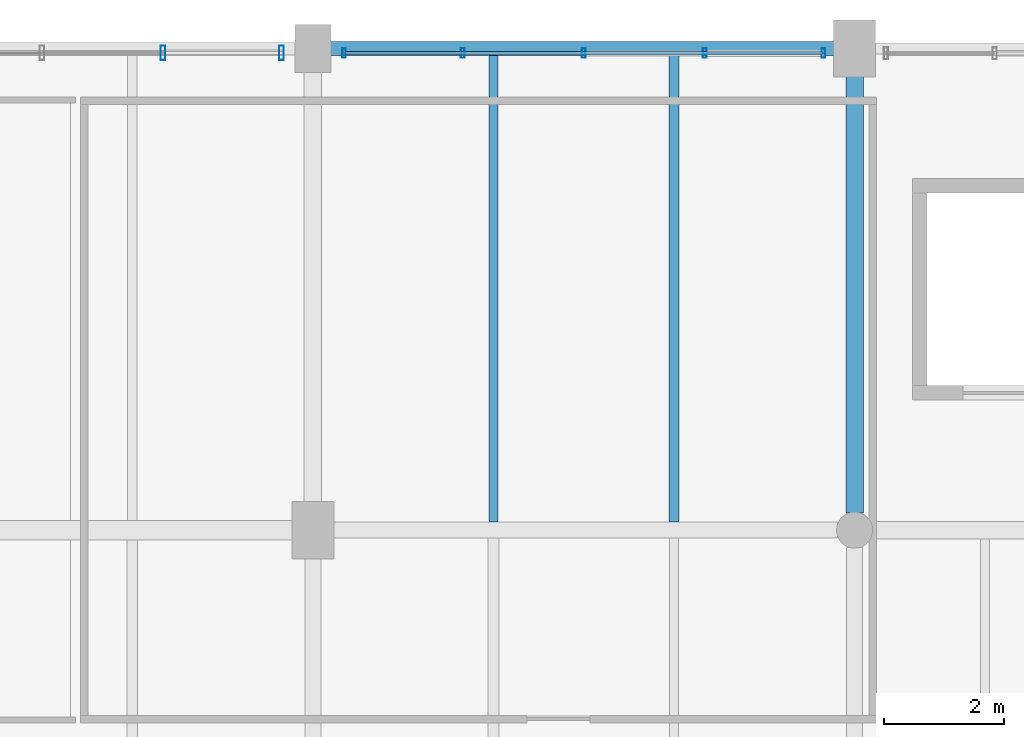
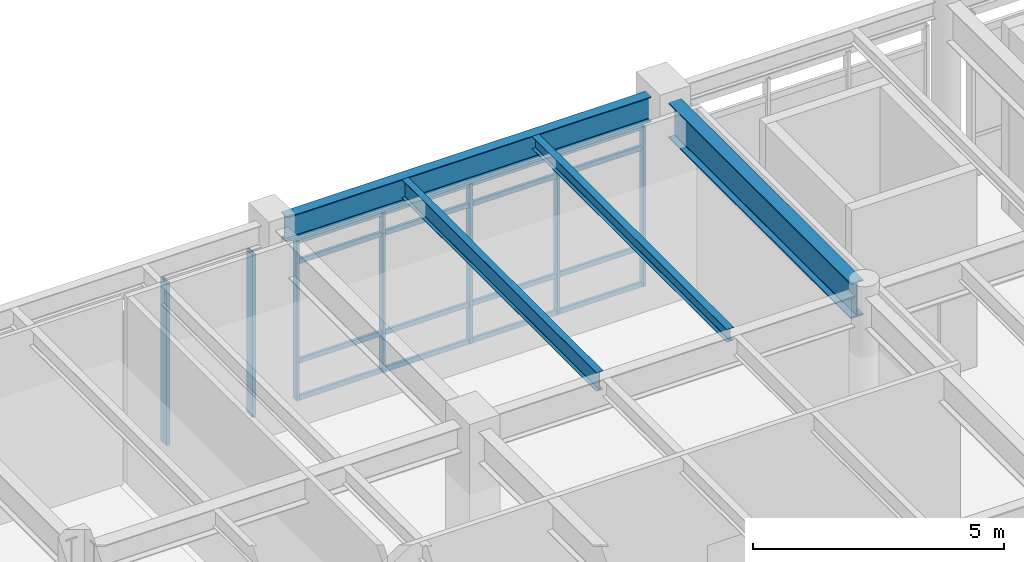
# One storey, part 103 of 200: 11 members, 4 beams, 2 elements without a shape of their own.
"""IFC4 building model written with IfcOpenShell, lengths in metres."""

import ifcopenshell
import ifcopenshell.guid

model = None  # the IFC model being written
_history = None  # IfcOwnerHistory: only IFC2X3 demands one
_inside = {}  # id of a spatial element -> (the spatial element, [elements in it])
_under = {}  # id of a project, library or spatial element -> (it, [spatial elements below it])
_declared = {}  # id of a project -> (the project, [libraries it declares])
_typed = {}  # id of a type object -> (the type object, [elements of that type])
_made_of = {}  # id of a material, layer set ... -> (it, [elements and type objects made of it])


def new_model(schema):
    """Start an empty IFC model of exactly this schema.

    Asked for "IFC4X3", IfcOpenShell would pick the latest addendum, in which some entities
    have other attributes; the version numbers below select the first issue.
    IFC2X3 requires an IfcOwnerHistory on every rooted entity: one is made here for all.
    """
    global model, _history
    if schema == "IFC4X3":
        model = ifcopenshell.file(schema_version=(4, 3, 0, 0))
    else:
        model = ifcopenshell.file(schema=schema)
    _inside.clear()
    _under.clear()
    _declared.clear()
    _typed.clear()
    _made_of.clear()
    _history = None
    if model.schema == "IFC2X3":
        org = make("IfcOrganization", Name="unknown")
        user = make(
            "IfcPersonAndOrganization",
            ThePerson=make("IfcPerson", FamilyName="unknown"),
            TheOrganization=org,
        )
        app = make(
            "IfcApplication",
            ApplicationDeveloper=org,
            Version="unknown",
            ApplicationFullName="unknown",
            ApplicationIdentifier="unknown",
        )
        _history = make(
            "IfcOwnerHistory",
            OwningUser=user,
            OwningApplication=app,
            ChangeAction="ADDED",
            CreationDate=0,
        )
    return model


def make(cls, **values):
    """One entity of the class cls with the attributes given. An attribute that is None is left unset."""
    return model.create_entity(
        cls, **{name: value for name, value in values.items() if value is not None}
    )


def rooted(cls, **values):
    """An entity with a GlobalId (a new one), such as an element, a storey or a relation."""
    return make(cls, GlobalId=ifcopenshell.guid.new(), OwnerHistory=_history, **values)


def si_unit(unit_type, name, prefix=None):
    """IfcSIUnit, for example si_unit("LENGTHUNIT", "METRE", prefix="MILLI")."""
    return make("IfcSIUnit", UnitType=unit_type, Prefix=prefix, Name=name)


def assignment(units):
    """IfcUnitAssignment: the units of a project."""
    return None if units is None else make("IfcUnitAssignment", Units=units)


def point(xyz):
    """IfcCartesianPoint."""
    return None if xyz is None else make("IfcCartesianPoint", Coordinates=xyz)


def direction(xyz):
    """IfcDirection."""
    return None if xyz is None else make("IfcDirection", DirectionRatios=xyz)


def frame(location, z_axis=None, x_axis=None):
    """IfcAxis2Placement3D, a coordinate frame: its origin and axes. An axis left out is left unset."""
    return make(
        "IfcAxis2Placement3D",
        Location=point(location),
        Axis=direction(z_axis),
        RefDirection=direction(x_axis),
    )


def frame_2d(location, x_axis=None):
    """IfcAxis2Placement2D, a coordinate frame in the plane: its origin and x axis."""
    return make(
        "IfcAxis2Placement2D", Location=point(location), RefDirection=direction(x_axis)
    )


def origin():
    """The frame at (0, 0, 0) with its axes left unset."""
    return frame((0.0, 0.0, 0.0))


def origin_2d():
    """The frame at (0, 0) in the plane with its x axis left unset."""
    return frame_2d((0.0, 0.0))


def place(relative_to, where):
    """IfcLocalPlacement: puts the frame where relative to a parent placement (None: the world)."""
    return make(
        "IfcLocalPlacement", PlacementRelTo=relative_to, RelativePlacement=where
    )


def context(
    kind, dimensions, precision=None, world=None, true_north=None, identifier=None
):
    """IfcGeometricRepresentationContext, for example the 3D "Model" context."""
    return make(
        "IfcGeometricRepresentationContext",
        ContextIdentifier=identifier,
        ContextType=kind,
        CoordinateSpaceDimension=dimensions,
        Precision=precision,
        WorldCoordinateSystem=world,
        TrueNorth=true_north,
    )


def subcontext(parent, identifier, kind, view, scale=None):
    """IfcGeometricRepresentationSubContext, for example "Body" below "Model"."""
    return make(
        "IfcGeometricRepresentationSubContext",
        ContextIdentifier=identifier,
        ContextType=kind,
        ParentContext=parent,
        TargetScale=scale,
        TargetView=view,
    )


def project(units=None, contexts=None):
    """IfcProject with its units and contexts."""
    return rooted(
        "IfcProject",
        Name="project",
        RepresentationContexts=contexts,
        UnitsInContext=assignment(units),
    )


def spatial(cls, under=None, at=None, **own):
    """A site, building, storey or space (cls), placed at a placement, below another one or the project."""
    s = rooted(cls, ObjectPlacement=at, **own)
    if under is not None:
        _under.setdefault(under.id(), (under, []))[1].append(s)
    return s


def profile(cls, at=None, kind="AREA", **sizes):
    """A parametric profile (cls). Its sizes go by their IFC names, for example OverallWidth=200.0."""
    return make(cls, ProfileType=kind, Position=at, **sizes)


def hollow_rectangle(**sizes):
    """IfcRectangleHollowProfileDef."""
    return profile("IfcRectangleHollowProfileDef", **sizes)


def i_section(**sizes):
    """IfcIShapeProfileDef."""
    return profile("IfcIShapeProfileDef", **sizes)


def extrude(swept, where, along, depth):
    """IfcExtrudedAreaSolid: the profile swept, set in the frame where, extruded along a direction by depth."""
    return make(
        "IfcExtrudedAreaSolid",
        SweptArea=swept,
        Position=where,
        ExtrudedDirection=direction(along),
        Depth=depth,
    )


def shape(context_of_items, identifier, shape_type, items):
    """IfcShapeRepresentation: the items that make up one representation, for example the "Body"."""
    return make(
        "IfcShapeRepresentation",
        ContextOfItems=context_of_items,
        RepresentationIdentifier=identifier,
        RepresentationType=shape_type,
        Items=items,
    )


def material(Name=None, Category=None):
    """IfcMaterial."""
    return make("IfcMaterial", Name=Name, Category=Category)


def material_profile(
    of_material, cross_section, Name=None, Category=None, Priority=None
):
    """IfcMaterialProfile: a cross section and its material."""
    return make(
        "IfcMaterialProfile",
        Name=Name,
        Material=of_material,
        Profile=cross_section,
        Priority=Priority,
        Category=Category,
    )


def profile_set(profiles, Name=None, composite=None):
    """IfcMaterialProfileSet."""
    return make(
        "IfcMaterialProfileSet",
        Name=Name,
        MaterialProfiles=profiles,
        CompositeProfile=composite,
    )


def made_of(thing, what):
    """Note that an element or type object is made of a material, layer set ...; save() writes the relation."""
    if what is not None:
        _made_of.setdefault(what.id(), (what, []))[1].append(thing)
    return thing


def type_object(cls, material=None, **own):
    """A type object (cls), such as IfcWallType, which elements share."""
    return made_of(rooted(cls, **own), material)


def element(
    cls,
    number,
    at=None,
    inside=None,
    cuts=None,
    type_object=None,
    material=None,
    context=None,
    identifier="Body",
    shape_type=None,
    held_by="IfcProductDefinitionShape",
    body=None,
    shapes=None,
    **own,
):
    """One element of the class cls, such as IfcWall. Its Tag is "e" and its number.

    at: its placement. inside: the storey or other place that contains it. cuts: it is an
    opening in that element (IfcRelVoidsElement). A single representation is given by context,
    identifier, shape_type and body (its items); several are given by shapes. held_by: the class
    of the entity that holds the representations. save() writes the other relations.
    """
    e = rooted(cls, Tag="e%d" % number, ObjectPlacement=at, **own)
    if body is not None:
        shapes = [shape(context, identifier, shape_type, body)]
    if shapes is not None:
        e.Representation = make(held_by, Representations=shapes)
    if inside is not None:
        _inside.setdefault(inside.id(), (inside, []))[1].append(e)
    if cuts is not None:
        rooted(
            "IfcRelVoidsElement", RelatingBuildingElement=cuts, RelatedOpeningElement=e
        )
    if type_object is not None:
        _typed.setdefault(type_object.id(), (type_object, []))[1].append(e)
    return made_of(e, material)


def aggregate(whole, parts):
    """IfcRelAggregates: a whole, such as a stair, and the parts it consists of."""
    return rooted("IfcRelAggregates", RelatingObject=whole, RelatedObjects=parts)


def save(model, path):
    """Write the relations noted so far, then the file.

    IfcRelAggregates (storeys below a building ...), IfcRelContainedInSpatialStructure (elements
    in a storey), IfcRelDefinesByType, IfcRelAssociatesMaterial and IfcRelDeclares: one each for
    every whole, place, type object, material and project.
    """
    for whole, parts in _under.values():
        aggregate(whole, parts)
    for where, things in _inside.values():
        rooted(
            "IfcRelContainedInSpatialStructure",
            RelatedElements=things,
            RelatingStructure=where,
        )
    for kind, things in _typed.values():
        rooted("IfcRelDefinesByType", RelatedObjects=things, RelatingType=kind)
    for what, things in _made_of.values():
        rooted("IfcRelAssociatesMaterial", RelatedObjects=things, RelatingMaterial=what)
    for by, libraries in _declared.values():
        rooted("IfcRelDeclares", RelatingContext=by, RelatedDefinitions=libraries)
    model.write(path)


model = new_model("IFC4")

# Units and contexts
model_context = context("Model", 3, precision=1e-05, world=origin(), true_north=direction((0.0, 1.0)))
body_context = subcontext(model_context, "Body", "Model", "MODEL_VIEW")
ifc_project = project(units=[si_unit("LENGTHUNIT", "METRE"), si_unit("AREAUNIT", "SQUARE_METRE"), si_unit("VOLUMEUNIT", "CUBIC_METRE"), si_unit("PLANEANGLEUNIT", "RADIAN"), si_unit("MASSUNIT", "GRAM", prefix="KILO"), si_unit("THERMODYNAMICTEMPERATUREUNIT", "KELVIN"), si_unit("POWERUNIT", "WATT")], contexts=[model_context])

# Site, building, storey
site_placement = place(None, origin())
site = spatial("IfcSite", under=ifc_project, at=site_placement, CompositionType="ELEMENT")
building_placement = place(site_placement, origin())
building = spatial("IfcBuilding", under=site, at=building_placement, Name="Tepalcoro Natatorium and Aquatics Centre", CompositionType="ELEMENT")
storey_placement = place(building_placement, frame((0.0, 0.0, 5.39990234375)))
storey = spatial("IfcBuildingStorey", under=building, at=storey_placement, Name="L01", CompositionType="ELEMENT", Elevation=5.39990234375)

# Beam
ifc_material_1 = material(Name="Steel ASTM A992 Grade 50 (Fy 345 MPa)", Category="steel")
ifc_material_profile_1 = material_profile(ifc_material_1, i_section(OverallWidth=0.2919921875, OverallDepth=0.85888671875, WebThickness=0.01708984375, FlangeThickness=0.031005859375, FilletRadius=0.013916015625, at=origin_2d()), Name="W33X169")
ifc_profile_set_1 = profile_set([ifc_material_profile_1], Name="Steel ASTM A992 Grade 50 (Fy 345 MPa)")
beam_type_1 = type_object("IfcBeamType", Name="BM_W33x169", PredefinedType="BEAM", material=ifc_profile_set_1)
beam_1_placement = place(storey_placement, frame((125.0, 110.284912109375, 4.115478515625), z_axis=(0.0, 1.0, 0.0), x_axis=(-1.0, 0.0, 0.0)))
element("IfcBeam", 1, at=beam_1_placement, inside=storey, type_object=beam_type_1, Name="V5 L01 Grid Girder Y", PredefinedType="BEAM", context=body_context, shape_type="SweptSolid", body=[
    extrude(i_section(OverallWidth=0.2919921875, OverallDepth=0.85888671875, WebThickness=0.01708984375, FlangeThickness=0.031005859375, FilletRadius=0.013916015625, at=origin_2d()), origin(), (0.0, 0.0, 1.0), 7.255126953125),
])

# Curtain wall, members
ifc_material_2 = material(Name="Bronze-Anodised Extruded Aluminium Alloy EN AW-6063 T6", Category="aluminium")
curtain_wall_type_1 = type_object("IfcCurtainWallType", Name="CW_LEAN_T2_NS", PredefinedType="USERDEFINED", material=ifc_material_2)
curtain_wall_1_placement = place(storey_placement, origin())
curtain_wall_1 = element("IfcCurtainWall", 2, at=curtain_wall_1_placement, inside=storey, type_object=curtain_wall_type_1, Name="V5 L01 N Unitised Curtain Wall Bay 3", ObjectType="FACETED SOLAR GLAZING", PredefinedType="USERDEFINED")
ifc_material_profile_2 = material_profile(ifc_material_2, hollow_rectangle(XDim=0.06005859375, YDim=0.159912109375, WallThickness=0.00390625, at=origin_2d()), Name="AL60X160X4")
ifc_profile_set_2 = profile_set([ifc_material_profile_2], Name="Bronze-Anodised Extruded Aluminium Alloy EN AW-6063 T6")
member_type_1 = type_object("IfcMemberType", Name="CW_MUL_60x160", PredefinedType="MULLION", material=ifc_profile_set_2)
member_1_placement = place(storey_placement, frame((116.52001953125, 117.923828125, 0.02001953125), z_axis=(0.0, 0.0, 1.0), x_axis=(1.0, 0.0, 0.0)))
member_1 = element("IfcMember", 3, at=member_1_placement, type_object=member_type_1, Name="CW_LEAN_T2_NS Curtain Wall Mullion", PredefinedType="MULLION", context=body_context, shape_type="SweptSolid", body=[
    extrude(hollow_rectangle(XDim=0.06005859375, YDim=0.159912109375, WallThickness=0.00390625, at=origin_2d()), origin(), (0.0, 0.0, 1.0), 3.878173828125),
])
member_2_placement = place(storey_placement, frame((118.489990234375, 117.923828125, 0.02001953125), z_axis=(0.0, 0.0, 1.0), x_axis=(1.0, 0.0, 0.0)))
member_2 = element("IfcMember", 4, at=member_2_placement, type_object=member_type_1, Name="CW_LEAN_T2_NS Curtain Wall Mullion", PredefinedType="MULLION", context=body_context, shape_type="SweptSolid", body=[
    extrude(hollow_rectangle(XDim=0.06005859375, YDim=0.159912109375, WallThickness=0.00390625, at=origin_2d()), origin(), (0.0, 0.0, 1.0), 3.878173828125),
])
member_3_placement = place(storey_placement, frame((120.5, 117.923828125, 0.02001953125), z_axis=(0.0, 0.0, 1.0), x_axis=(1.0, 0.0, 0.0)))
member_3 = element("IfcMember", 5, at=member_3_placement, type_object=member_type_1, Name="CW_LEAN_T2_NS Curtain Wall Mullion", PredefinedType="MULLION", context=body_context, shape_type="SweptSolid", body=[
    extrude(hollow_rectangle(XDim=0.06005859375, YDim=0.159912109375, WallThickness=0.00390625, at=origin_2d()), origin(), (0.0, 0.0, 1.0), 3.878173828125),
])
member_4_placement = place(storey_placement, frame((122.510009765625, 117.923828125, 0.02001953125), z_axis=(0.0, 0.0, 1.0), x_axis=(1.0, 0.0, 0.0)))
member_4 = element("IfcMember", 6, at=member_4_placement, type_object=member_type_1, Name="CW_LEAN_T2_NS Curtain Wall Mullion", PredefinedType="MULLION", context=body_context, shape_type="SweptSolid", body=[
    extrude(hollow_rectangle(XDim=0.06005859375, YDim=0.159912109375, WallThickness=0.00390625, at=origin_2d()), origin(), (0.0, 0.0, 1.0), 3.878173828125),
])
member_5_placement = place(storey_placement, frame((124.47998046875, 117.923828125, 0.02001953125), z_axis=(0.0, 0.0, 1.0), x_axis=(1.0, 0.0, 0.0)))
member_5 = element("IfcMember", 7, at=member_5_placement, type_object=member_type_1, Name="CW_LEAN_T2_NS Curtain Wall Mullion", PredefinedType="MULLION", context=body_context, shape_type="SweptSolid", body=[
    extrude(hollow_rectangle(XDim=0.06005859375, YDim=0.159912109375, WallThickness=0.00390625, at=origin_2d()), origin(), (0.0, 0.0, 1.0), 3.878173828125),
])

curtain_wall_type_2 = type_object("IfcCurtainWallType", Name="CW_LEAN_T1_EW", PredefinedType="USERDEFINED", material=ifc_material_2)
curtain_wall_2_placement = place(storey_placement, origin())
curtain_wall_2 = element("IfcCurtainWall", 8, at=curtain_wall_2_placement, inside=storey, type_object=curtain_wall_type_2, Name="V5 L01 N Unitised Curtain Wall Bay 2", ObjectType="FACETED SOLAR GLAZING", PredefinedType="USERDEFINED")
ifc_material_profile_3 = material_profile(ifc_material_2, hollow_rectangle(XDim=0.080078125, YDim=0.239990234375, WallThickness=0.0048828125, at=origin_2d()), Name="AL80X240X5")
ifc_profile_set_3 = profile_set([ifc_material_profile_3], Name="Bronze-Anodised Extruded Aluminium Alloy EN AW-6063 T6")
member_type_2 = type_object("IfcMemberType", Name="CW_MUL_80x240", PredefinedType="MULLION", material=ifc_profile_set_3)
member_6_placement = place(storey_placement, frame((113.510009765625, 117.9287109375, 0.02001953125), z_axis=(0.0, 0.0, 1.0), x_axis=(1.0, 0.0, 0.0)))
member_6 = element("IfcMember", 9, at=member_6_placement, type_object=member_type_2, Name="CW_LEAN_T1_EW Curtain Wall Mullion", PredefinedType="MULLION", context=body_context, shape_type="SweptSolid", body=[
    extrude(hollow_rectangle(XDim=0.080078125, YDim=0.239990234375, WallThickness=0.0048828125, at=origin_2d()), origin(), (0.0, 0.0, 1.0), 3.9541015625),
])
member_7_placement = place(storey_placement, frame((115.47998046875, 117.9287109375, 0.02001953125), z_axis=(0.0, 0.0, 1.0), x_axis=(1.0, 0.0, 0.0)))
member_7 = element("IfcMember", 10, at=member_7_placement, type_object=member_type_2, Name="CW_LEAN_T1_EW Curtain Wall Mullion", PredefinedType="MULLION", context=body_context, shape_type="SweptSolid", body=[
    extrude(hollow_rectangle(XDim=0.080078125, YDim=0.239990234375, WallThickness=0.0048828125, at=origin_2d()), origin(), (0.0, 0.0, 1.0), 3.9541015625),
])
aggregate(curtain_wall_2, [member_6, member_7])

# Member
ifc_material_profile_4 = material_profile(ifc_material_2, hollow_rectangle(XDim=0.06005859375, YDim=0.1201171875, WallThickness=0.00390625, at=origin_2d()), Name="AL60X120X4")
ifc_profile_set_4 = profile_set([ifc_material_profile_4], Name="Bronze-Anodised Extruded Aluminium Alloy EN AW-6063 T6")
member_type_3 = type_object("IfcMemberType", Name="CW_TRN_60x120", PredefinedType="USERDEFINED", material=ifc_profile_set_4)
member_8_placement = place(storey_placement, frame((116.530029296875, 117.923828125, 0.050048828125), z_axis=(1.0, 0.0, 0.0), x_axis=(0.0, 1.0, 0.0)))
member_8 = element("IfcMember", 11, at=member_8_placement, type_object=member_type_3, Name="CW_LEAN_T2_NS Curtain Wall Transom", ObjectType="TRANSOM", PredefinedType="USERDEFINED", context=body_context, shape_type="SweptSolid", body=[
    extrude(hollow_rectangle(XDim=0.06005859375, YDim=0.1201171875, WallThickness=0.00390625, at=origin_2d()), origin(), (0.0, 0.0, 1.0), 7.93994140625),
])

member_9_placement = place(storey_placement, frame((116.530029296875, 117.923828125, 0.9501953125), z_axis=(1.0, 0.0, 0.0), x_axis=(0.0, 1.0, 0.0)))
member_9 = element("IfcMember", 12, at=member_9_placement, type_object=member_type_3, Name="CW_LEAN_T2_NS Curtain Wall Transom", ObjectType="TRANSOM", PredefinedType="USERDEFINED", context=body_context, shape_type="SweptSolid", body=[
    extrude(hollow_rectangle(XDim=0.06005859375, YDim=0.1201171875, WallThickness=0.00390625, at=origin_2d()), origin(), (0.0, 0.0, 1.0), 7.93994140625),
])

member_10_placement = place(storey_placement, frame((116.530029296875, 117.923828125, 3.3681640625), z_axis=(1.0, 0.0, 0.0), x_axis=(0.0, 1.0, 0.0)))
member_10 = element("IfcMember", 13, at=member_10_placement, type_object=member_type_3, Name="CW_LEAN_T2_NS Curtain Wall Transom", ObjectType="TRANSOM", PredefinedType="USERDEFINED", context=body_context, shape_type="SweptSolid", body=[
    extrude(hollow_rectangle(XDim=0.06005859375, YDim=0.1201171875, WallThickness=0.00390625, at=origin_2d()), origin(), (0.0, 0.0, 1.0), 7.93994140625),
])

member_11_placement = place(storey_placement, frame((116.530029296875, 117.923828125, 3.8681640625), z_axis=(1.0, 0.0, 0.0), x_axis=(0.0, 1.0, 0.0)))
member_11 = element("IfcMember", 14, at=member_11_placement, type_object=member_type_3, Name="CW_LEAN_T2_NS Curtain Wall Transom", ObjectType="TRANSOM", PredefinedType="USERDEFINED", context=body_context, shape_type="SweptSolid", body=[
    extrude(hollow_rectangle(XDim=0.06005859375, YDim=0.1201171875, WallThickness=0.00390625, at=origin_2d()), origin(), (0.0, 0.0, 1.0), 7.93994140625),
])

aggregate(curtain_wall_1, [member_1, member_2, member_3, member_4, member_5, member_8, member_9, member_10, member_11])

# Beams
ifc_material_profile_5 = material_profile(ifc_material_1, i_section(OverallWidth=0.1650390625, OverallDepth=0.31005859375, WebThickness=0.006103515625, FlangeThickness=0.010009765625, FilletRadius=0.013916015625, at=origin_2d()), Name="W12X26")
ifc_profile_set_5 = profile_set([ifc_material_profile_5], Name="Steel ASTM A992 Grade 50 (Fy 345 MPa)")
beam_type_2 = type_object("IfcBeamType", Name="JS_W12x26", PredefinedType="JOIST", material=ifc_profile_set_5)
beam_2_placement = place(storey_placement, frame((122.0, 110.133544921875, 4.39013671875), z_axis=(0.0, 1.0, 0.0), x_axis=(-1.0, 0.0, 0.0)))
element("IfcBeam", 15, at=beam_2_placement, inside=storey, type_object=beam_type_2, Name="V5 L01 Floor Joist", PredefinedType="JOIST", context=body_context, shape_type="SweptSolid", body=[
    extrude(i_section(OverallWidth=0.1650390625, OverallDepth=0.31005859375, WebThickness=0.006103515625, FlangeThickness=0.010009765625, FilletRadius=0.013916015625, at=origin_2d()), origin(), (0.0, 0.0, 1.0), 7.751953125),
])
ifc_material_profile_6 = material_profile(ifc_material_1, i_section(OverallWidth=0.153076171875, OverallDepth=0.455078125, WebThickness=0.008056640625, FlangeThickness=0.012939453125, FilletRadius=0.013916015625, at=origin_2d()), Name="W18X40")
ifc_profile_set_6 = profile_set([ifc_material_profile_6], Name="Steel ASTM A992 Grade 50 (Fy 345 MPa)")
beam_type_3 = type_object("IfcBeamType", Name="JS_W18x40", PredefinedType="JOIST", material=ifc_profile_set_6)
beam_3_placement = place(storey_placement, frame((119.0, 110.133544921875, 4.317626953125), z_axis=(0.0, 1.0, 0.0), x_axis=(-1.0, 0.0, 0.0)))
element("IfcBeam", 16, at=beam_3_placement, inside=storey, type_object=beam_type_3, Name="V5 L01 Floor Joist", PredefinedType="JOIST", context=body_context, shape_type="SweptSolid", body=[
    extrude(i_section(OverallWidth=0.153076171875, OverallDepth=0.455078125, WebThickness=0.008056640625, FlangeThickness=0.012939453125, FilletRadius=0.013916015625, at=origin_2d()), origin(), (0.0, 0.0, 1.0), 7.751953125),
])
ifc_material_profile_7 = material_profile(ifc_material_1, i_section(OverallWidth=0.22900390625, OverallDepth=0.612060546875, WebThickness=0.011962890625, FlangeThickness=0.02001953125, FilletRadius=0.013916015625, at=origin_2d()), Name="W24X84")
ifc_profile_set_7 = profile_set([ifc_material_profile_7], Name="Steel ASTM A992 Grade 50 (Fy 345 MPa)")
beam_type_4 = type_object("IfcBeamType", Name="SP_W24x84", PredefinedType="SPANDREL", material=ifc_profile_set_7)
beam_4_placement = place(storey_placement, frame((116.284912109375, 118.0, 4.239013671875), z_axis=(1.0, 0.0, 0.0), x_axis=(0.0, 1.0, 0.0)))
element("IfcBeam", 17, at=beam_4_placement, inside=storey, type_object=beam_type_4, Name="V5 L01 Grid Girder X", PredefinedType="SPANDREL", context=body_context, shape_type="SweptSolid", body=[
    extrude(i_section(OverallWidth=0.22900390625, OverallDepth=0.612060546875, WebThickness=0.011962890625, FlangeThickness=0.02001953125, FilletRadius=0.013916015625, at=origin_2d()), origin(), (0.0, 0.0, 1.0), 8.380126953125),
])

save(model, "model.ifc")
